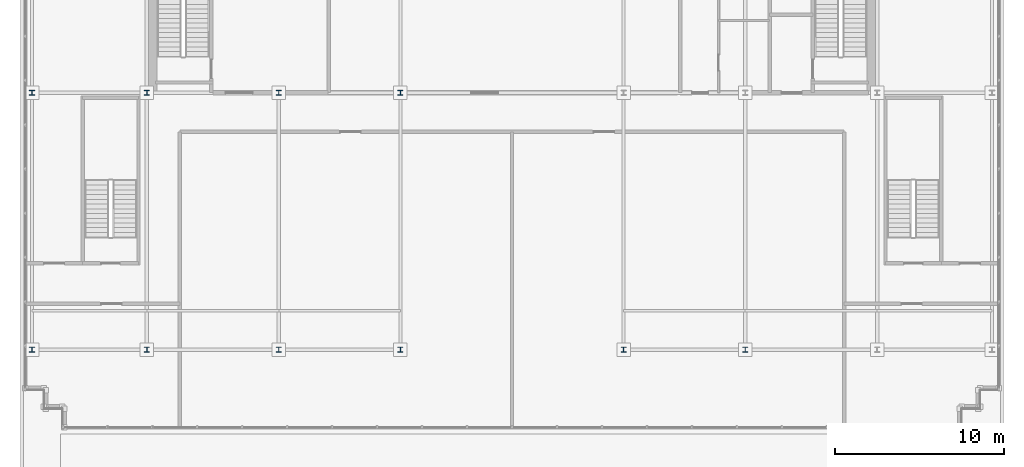
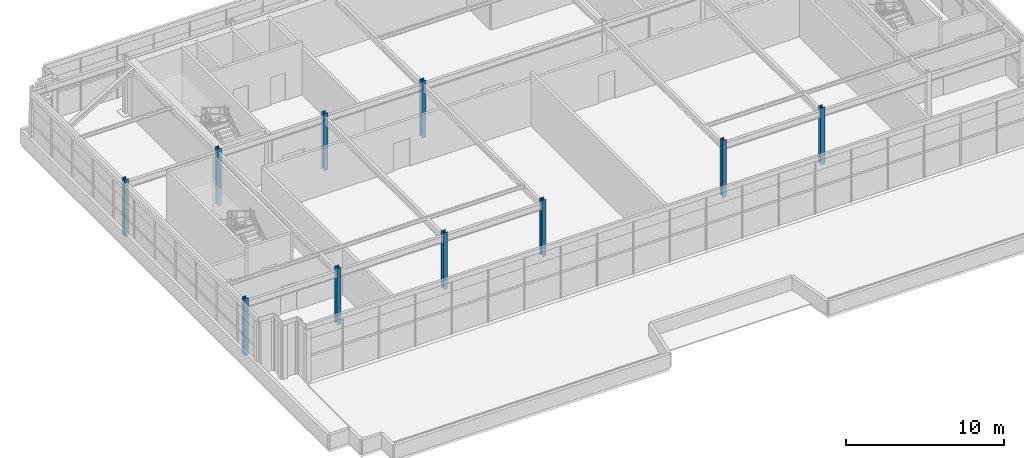
# One storey, part 1 of 38: 10 columns.
"""IFC4 building model written with IfcOpenShell, lengths in metres."""

from ifc_helpers import new_model, si_unit, direction, frame, origin, origin_2d, place, context, subcontext, project, spatial, i_section, extrude, source, transform, mapped, material, material_profile, profile_set, type_object, element, save


model = new_model("IFC4")

# Units and contexts
model_context = context("Model", 3, precision=1e-05, world=origin(), true_north=direction((0.0, 1.0)))
body_context = subcontext(model_context, "Body", "Model", "MODEL_VIEW")
ifc_project = project(units=[si_unit("LENGTHUNIT", "METRE"), si_unit("AREAUNIT", "SQUARE_METRE"), si_unit("VOLUMEUNIT", "CUBIC_METRE"), si_unit("PLANEANGLEUNIT", "RADIAN"), si_unit("MASSUNIT", "GRAM", prefix="KILO")], contexts=[model_context])

# Site, building, storey
site_placement = place(None, origin())
site = spatial("IfcSite", under=ifc_project, at=site_placement, CompositionType="ELEMENT")
building_placement = place(site_placement, origin())
building = spatial("IfcBuilding", under=site, at=building_placement, Name="Trelvane Seafront Commons", CompositionType="ELEMENT")
storey_placement = place(building_placement, frame((0.0, 0.0, 299.10009765625)))
storey = spatial("IfcBuildingStorey", under=building, at=storey_placement, Name="L78", CompositionType="ELEMENT", Elevation=299.10009765625)

# Columns
ifc_material = material(Name="Steel SM355 (S355)", Category="steel")
ifc_material_profile = material_profile(ifc_material, i_section(OverallWidth=0.300048828125, OverallDepth=0.300048828125, WebThickness=0.014892578125, FlangeThickness=0.02392578125, at=origin_2d()), Name="HD-300x300x15x24")
ifc_profile_set = profile_set([ifc_material_profile], Name="Steel SM355 (S355)")
column_type = type_object("IfcColumnType", Name="STR-CROWN-FRAME-COL", PredefinedType="COLUMN", material=ifc_profile_set)
shared_shape = source(origin(), body_context, "Body", "SweptSolid", [
    extrude(i_section(OverallWidth=0.300048828125, OverallDepth=0.300048828125, WebThickness=0.014892578125, FlangeThickness=0.02392578125, at=origin_2d()), origin(), (0.0, 0.0, 1.0), 4.39990234375),
])
for number, where, z_axis, x_axis, name in (
    (1, (8.800048828125, 18.199951171875, 0.0), (0.0, 0.0, 1.0), (1.0, 0.0, 0.0), "L78 CROWN FRAME Column CRN-1-1"),
    (2, (8.800048828125, 33.39990234375, 0.0), (0.0, 0.0, 1.0), (1.0, 0.0, 0.0), "L78 CROWN FRAME Column CRN-1-2"),
    (3, (15.60009765625, 18.199951171875, 0.0), (0.0, 0.0, 1.0), (1.0, 0.0, 0.0), "L78 CROWN FRAME Column CRN-2-1"),
    (4, (15.60009765625, 33.39990234375, 0.0), (0.0, 0.0, 1.0), (1.0, 0.0, 0.0), "L78 CROWN FRAME Column CRN-2-2"),
    (5, (23.39990234375, 18.199951171875, 0.0), (0.0, 0.0, 1.0), (1.0, 0.0, 0.0), "L78 CROWN FRAME Column CRN-3-1"),
    (6, (23.39990234375, 33.39990234375, 0.0), (0.0, 0.0, 1.0), (1.0, 0.0, 0.0), "L78 CROWN FRAME Column CRN-3-2"),
    (7, (30.60009765625, 18.199951171875, 0.0), (0.0, 0.0, 1.0), (1.0, 0.0, 0.0), "L78 CROWN FRAME Column CRN-4-1"),
    (8, (30.60009765625, 33.39990234375, 0.0), (0.0, 0.0, 1.0), (1.0, 0.0, 0.0), "L78 CROWN FRAME Column CRN-4-2"),
    (9, (43.800048828125, 18.199951171875, 0.0), (0.0, 0.0, 1.0), (1.0, 0.0, 0.0), "L78 CROWN FRAME Column CRN-5-1"),
    (10, (51.0, 18.199951171875, 0.0), (0.0, 0.0, 1.0), (1.0, 0.0, 0.0), "L78 CROWN FRAME Column CRN-6-1"),
):
    element("IfcColumn", number, at=place(storey_placement, frame(where, z_axis=z_axis, x_axis=x_axis)), inside=storey, type_object=column_type, Name=name, PredefinedType="COLUMN", context=body_context, shape_type="MappedRepresentation", body=[
        mapped(shared_shape, transform((0.0, 0.0, 0.0), x_axis=(1.0, 0.0, 0.0), y_axis=(0.0, 1.0, 0.0), z_axis=(0.0, 0.0, 1.0), scale=1.0)),
    ])

save(model, "model.ifc")
